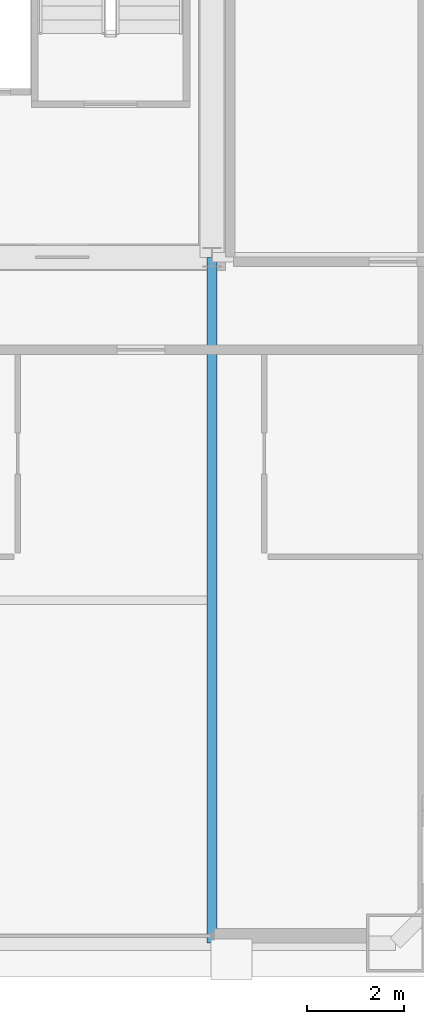
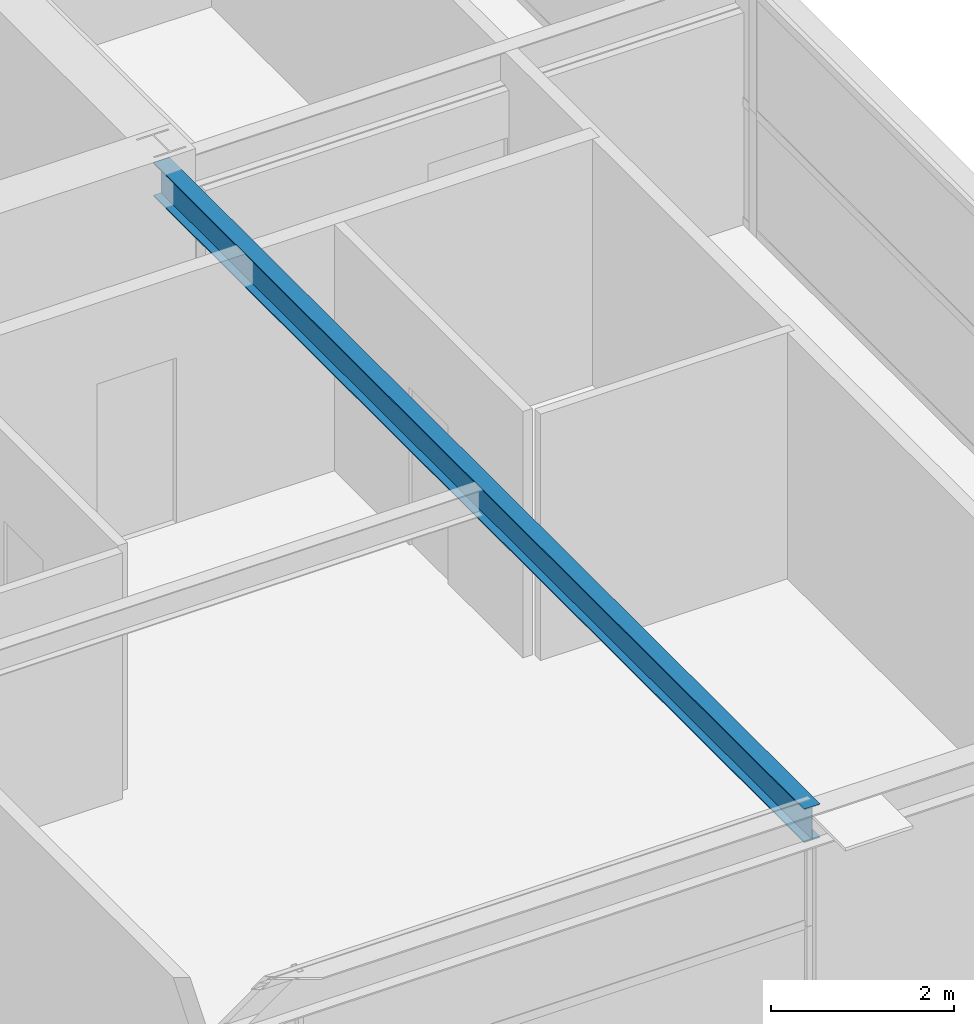
# One storey, part 16 of 36: 1 beam.
"""IFC4 building model written with IfcOpenShell, lengths in metres."""

from ifc_helpers import new_model, si_unit, direction, frame, origin, origin_2d, place, context, subcontext, project, spatial, i_section, extrude, source, transform, mapped, material, material_profile, profile_set, type_object, element, save


model = new_model("IFC4")

# Units and contexts
model_context = context("Model", 3, precision=1e-05, world=origin(), true_north=direction((0.0, 1.0)))
body_context = subcontext(model_context, "Body", "Model", "MODEL_VIEW")
ifc_project = project(units=[si_unit("LENGTHUNIT", "METRE"), si_unit("AREAUNIT", "SQUARE_METRE"), si_unit("VOLUMEUNIT", "CUBIC_METRE"), si_unit("PLANEANGLEUNIT", "RADIAN"), si_unit("MASSUNIT", "GRAM", prefix="KILO"), si_unit("THERMODYNAMICTEMPERATUREUNIT", "KELVIN"), si_unit("POWERUNIT", "WATT")], contexts=[model_context])

# Site, building, storey
site_placement = place(None, origin())
site = spatial("IfcSite", under=ifc_project, at=site_placement, CompositionType="ELEMENT")
building_placement = place(site_placement, origin())
building = spatial("IfcBuilding", under=site, at=building_placement, Name="Yuzanri Waterfront Tower", CompositionType="ELEMENT")
storey_placement = place(building_placement, frame((0.0, 0.0, 238.10009765625)))
storey = spatial("IfcBuildingStorey", under=building, at=storey_placement, Name="L63", CompositionType="ELEMENT", Elevation=238.10009765625)

# Beam
ifc_material = material(Name="Steel Q355B", Category="steel")
ifc_material_profile = material_profile(ifc_material, i_section(OverallWidth=0.199951171875, OverallDepth=0.449951171875, WebThickness=0.009033203125, FlangeThickness=0.013916015625, at=origin_2d()), Name="HN 450x200x9x14")
ifc_profile_set = profile_set([ifc_material_profile], Name="Steel Q355B")
beam_type = type_object("IfcBeamType", Name="Secondary Floor Beam Q355B HN 450x200", PredefinedType="BEAM", material=ifc_profile_set)
shared_shape = source(origin(), body_context, "Body", "SweptSolid", [
    extrude(i_section(OverallWidth=0.199951171875, OverallDepth=0.449951171875, WebThickness=0.009033203125, FlangeThickness=0.013916015625, at=origin_2d()), origin(), (0.0, 0.0, 1.0), 14.199951171875),
])
beam_placement = place(storey_placement, frame((50.199951171875, 19.39990234375, 3.054931640625), z_axis=(0.0, -1.0, 0.0), x_axis=(1.0, 0.0, 0.0)))
element("IfcBeam", 1, at=beam_placement, inside=storey, type_object=beam_type, Name="L63 South-East Core Line Beam", PredefinedType="BEAM", context=body_context, shape_type="MappedRepresentation", body=[
    mapped(shared_shape, transform((0.0, 0.0, 0.0), scale=1.0)),
])

save(model, "model.ifc")
